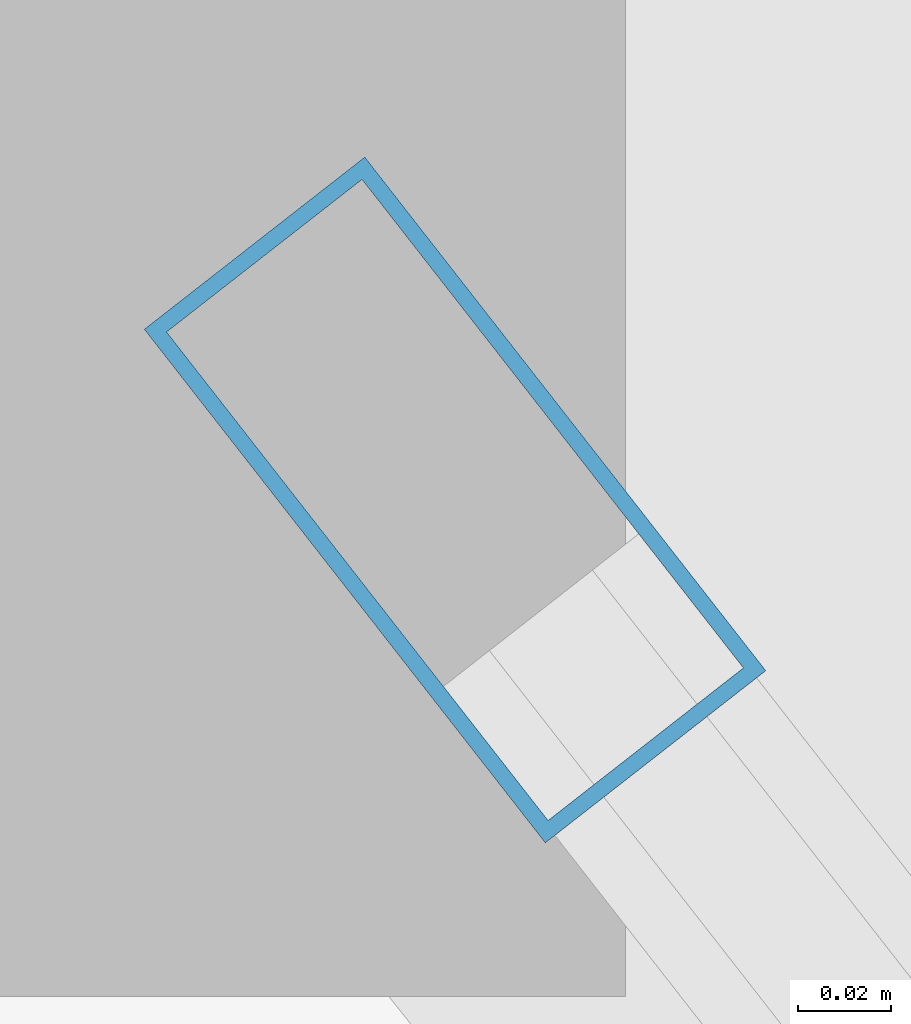
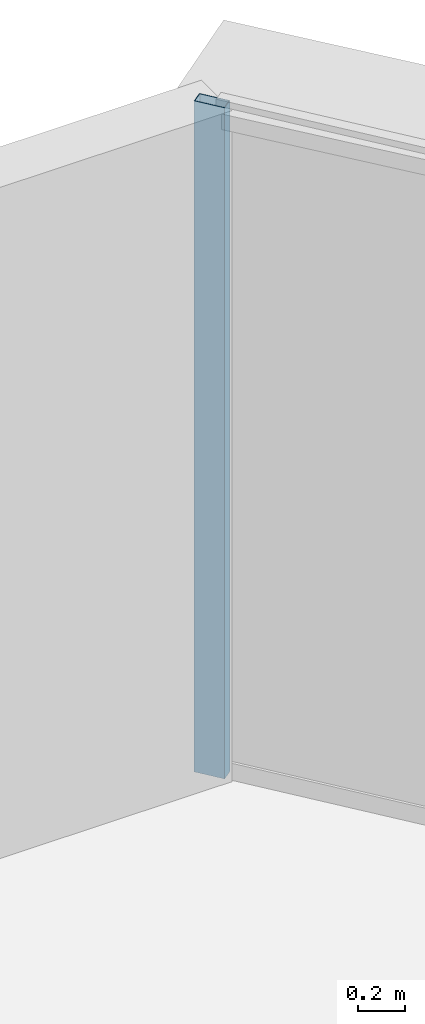
# One storey, part 25 of 37: 1 member, 1 element without a shape of its own.
"""IFC4 building model written with IfcOpenShell, lengths in metres."""

from ifc_helpers import new_model, si_unit, direction, frame, origin, origin_2d, place, context, subcontext, project, spatial, hollow_rectangle, extrude, source, transform, mapped, material, layer, layer_set, material_profile, profile_set, type_object, element, aggregate, save


model = new_model("IFC4")

# Units and contexts
model_context = context("Model", 3, precision=1e-05, world=origin(), true_north=direction((0.0, 1.0)))
body_context = subcontext(model_context, "Body", "Model", "MODEL_VIEW")
ifc_project = project(units=[si_unit("LENGTHUNIT", "METRE"), si_unit("AREAUNIT", "SQUARE_METRE"), si_unit("VOLUMEUNIT", "CUBIC_METRE"), si_unit("PLANEANGLEUNIT", "RADIAN"), si_unit("MASSUNIT", "GRAM", prefix="KILO"), si_unit("THERMODYNAMICTEMPERATUREUNIT", "KELVIN"), si_unit("POWERUNIT", "WATT")], contexts=[model_context])

# Site, building, storey
site_placement = place(None, origin())
site = spatial("IfcSite", under=ifc_project, at=site_placement, CompositionType="ELEMENT")
building_placement = place(site_placement, origin())
building = spatial("IfcBuilding", under=site, at=building_placement, Name="Yunzhuo Pagoda Commons", CompositionType="ELEMENT")
storey_placement = place(building_placement, frame((0.0, 0.0, 251.989990234375)))
storey = spatial("IfcBuildingStorey", under=building, at=storey_placement, Name="L63", CompositionType="ELEMENT", Elevation=251.989990234375)

# Curtain wall, member
ifc_material = material(Name="Anodized aluminium 6063-T6", Category="aluminium")
ifc_layer = layer(ifc_material, 0.139892578125)
ifc_layer_set = layer_set([ifc_layer], Name="Anodized aluminium 6063-T6")
curtain_wall_type = type_object("IfcCurtainWallType", Name="CW-HI High-Zone Ribbon Curtain Wall", PredefinedType="NOTDEFINED", material=ifc_layer_set)
curtain_wall_placement = place(storey_placement, origin())
curtain_wall = element("IfcCurtainWall", 1, at=curtain_wall_placement, inside=storey, type_object=curtain_wall_type, Name="L63 curtain wall CW-L63-F2B5", PredefinedType="NOTDEFINED")
ifc_material_profile = material_profile(ifc_material, hollow_rectangle(XDim=0.06005859375, YDim=0.139892578125, WallThickness=0.00341796875, at=origin_2d()), Name="Anodized aluminium 6063-T6")
ifc_profile_set = profile_set([ifc_material_profile], Name="Anodized aluminium 6063-T6")
member_type = type_object("IfcMemberType", Name="CW-HI-M Mullion RHS 140x60x3.5", PredefinedType="MULLION", material=ifc_profile_set)
shared_shape = source(origin(), body_context, "Body", "SweptSolid", [
    extrude(hollow_rectangle(XDim=0.06005859375, YDim=0.139892578125, WallThickness=0.00341796875, at=origin_2d()), origin(), (0.0, 0.0, 1.0), 3.469970703125),
])
member_placement = place(storey_placement, frame((51.789794921875, 78.773681640625, 0.0), z_axis=(0.0, 0.0, 1.0), x_axis=(-0.788189580024, -0.615432519405, 0.0)))
member = element("IfcMember", 2, at=member_placement, type_object=member_type, Name="CW mullion 2", PredefinedType="MULLION", context=body_context, shape_type="MappedRepresentation", body=[
    mapped(shared_shape, transform((0.0, 0.0, 0.0), scale=1.0)),
])
aggregate(curtain_wall, [member])

save(model, "model.ifc")
